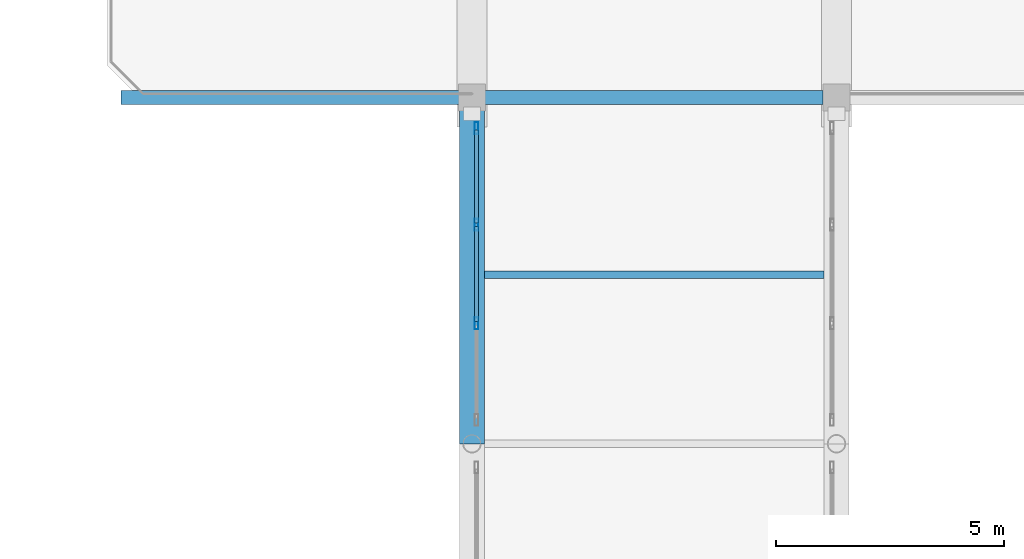
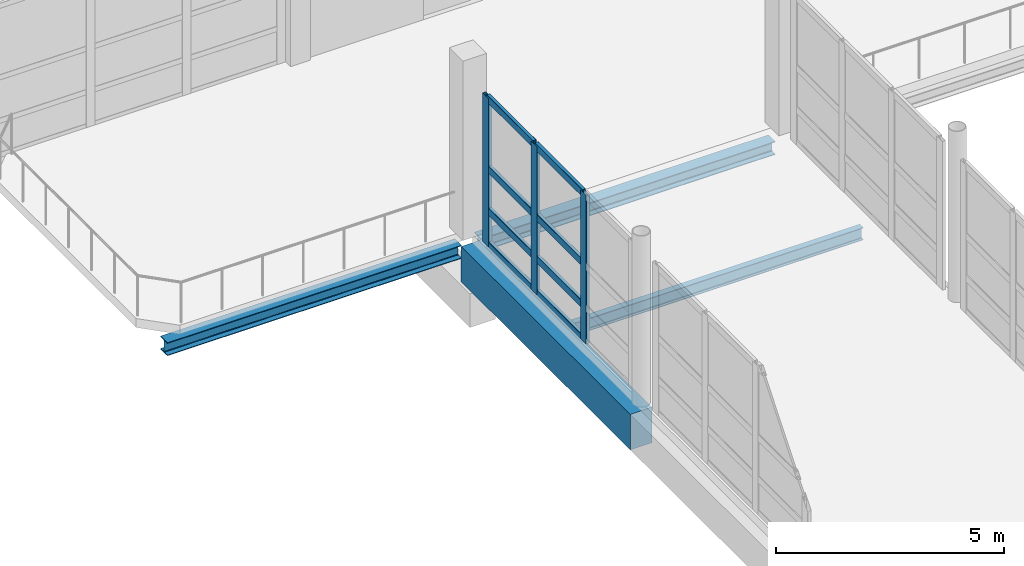
# One storey, part 37 of 141: 11 members, 4 beams, 1 element without a shape of its own.
"""IFC4 building model written with IfcOpenShell, lengths in metres."""

from ifc_helpers import new_model, si_unit, direction, frame, origin, origin_2d, place, context, subcontext, project, spatial, rectangle, hollow_rectangle, i_section, extrude, material, material_profile, profile_set, type_object, element, aggregate, save


model = new_model("IFC4")

# Units and contexts
model_context = context("Model", 3, precision=1e-05, world=origin(), true_north=direction((0.0, 1.0)))
body_context = subcontext(model_context, "Body", "Model", "MODEL_VIEW")
ifc_project = project(units=[si_unit("LENGTHUNIT", "METRE"), si_unit("AREAUNIT", "SQUARE_METRE"), si_unit("VOLUMEUNIT", "CUBIC_METRE"), si_unit("PLANEANGLEUNIT", "RADIAN"), si_unit("MASSUNIT", "GRAM", prefix="KILO")], contexts=[model_context])

# Site, building, storey
site_placement = place(None, origin())
site = spatial("IfcSite", under=ifc_project, at=site_placement, CompositionType="ELEMENT")
building_placement = place(site_placement, origin())
building = spatial("IfcBuilding", under=site, at=building_placement, Name="Khelvaren Railside Concert Hall", CompositionType="ELEMENT")
storey_placement = place(building_placement, frame((0.0, 0.0, 10.199951171875)))
storey = spatial("IfcBuildingStorey", under=building, at=storey_placement, Name="L02", CompositionType="ELEMENT", Elevation=10.199951171875)

# Curtain wall, members
ifc_material_1 = material(Name="Acoustic laminated crystal facade glass", Category="glass")
curtain_wall_type = type_object("IfcCurtainWallType", Name="CW78", PredefinedType="USERDEFINED", material=ifc_material_1)
curtain_wall_placement = place(storey_placement, origin())
curtain_wall = element("IfcCurtainWall", 1, at=curtain_wall_placement, inside=storey, type_object=curtain_wall_type, Name="Unitised Curtain Wall CW-LB3-L02-W3", ObjectType="UNITISED CURTAIN WALL", PredefinedType="USERDEFINED")
ifc_material_2 = material(Name="Anodised architectural aluminium 6063-T6", Category="aluminium")
ifc_material_profile_1 = material_profile(ifc_material_2, hollow_rectangle(XDim=0.0849609375, YDim=0.260009765625, WallThickness=0.0048828125, InnerFilletRadius=0.0029296875, OuterFilletRadius=0.0048828125, at=origin_2d()), Name="CWM 85x260x5")
ifc_profile_set_1 = profile_set([ifc_material_profile_1], Name="Anodised architectural aluminium 6063-T6")
member_type_1 = type_object("IfcMemberType", Name="CWM40", PredefinedType="MULLION", material=ifc_profile_set_1)
member_1_placement = place(storey_placement, frame((8.10009765625, 63.443359375, 0.0), z_axis=(0.0, 0.0, 1.0), x_axis=(-1.0, 0.0, 0.0)))
member_1 = element("IfcMember", 2, at=member_1_placement, type_object=member_type_1, Name="CW78 mullion 2", PredefinedType="MULLION", context=body_context, shape_type="SweptSolid", body=[
    extrude(hollow_rectangle(XDim=0.0849609375, YDim=0.260009765625, WallThickness=0.0048828125, InnerFilletRadius=0.0029296875, OuterFilletRadius=0.0048828125, at=origin_2d()), origin(), (0.0, 0.0, 1.0), 3.97998046875),
])
member_2_placement = place(storey_placement, frame((8.10009765625, 65.606689453125, 0.0), z_axis=(0.0, 0.0, 1.0), x_axis=(-1.0, 0.0, 0.0)))
member_2 = element("IfcMember", 3, at=member_2_placement, type_object=member_type_1, Name="CW78 mullion 3", PredefinedType="MULLION", context=body_context, shape_type="SweptSolid", body=[
    extrude(hollow_rectangle(XDim=0.0849609375, YDim=0.260009765625, WallThickness=0.0048828125, InnerFilletRadius=0.0029296875, OuterFilletRadius=0.0048828125, at=origin_2d()), origin(), (0.0, 0.0, 1.0), 3.97998046875),
])
member_3_placement = place(storey_placement, frame((8.10009765625, 67.7275390625, 0.0), z_axis=(0.0, 0.0, 1.0), x_axis=(-1.0, 0.0, 0.0)))
member_3 = element("IfcMember", 4, at=member_3_placement, type_object=member_type_1, Name="CW78 mullion 4", PredefinedType="MULLION", context=body_context, shape_type="SweptSolid", body=[
    extrude(hollow_rectangle(XDim=0.0849609375, YDim=0.260009765625, WallThickness=0.0048828125, InnerFilletRadius=0.0029296875, OuterFilletRadius=0.0048828125, at=origin_2d()), origin(), (0.0, 0.0, 1.0), 3.97998046875),
])
ifc_material_profile_2 = material_profile(ifc_material_2, hollow_rectangle(XDim=0.0849609375, YDim=0.18994140625, WallThickness=0.0048828125, InnerFilletRadius=0.0029296875, OuterFilletRadius=0.0048828125, at=origin_2d()), Name="CWT 85x190x5")
ifc_profile_set_2 = profile_set([ifc_material_profile_2], Name="Anodised architectural aluminium 6063-T6")
member_type_2 = type_object("IfcMemberType", Name="CWT31", PredefinedType="USERDEFINED", material=ifc_profile_set_2)
member_4_placement = place(storey_placement, frame((8.10009765625, 63.48583984375, 0.04248046875), z_axis=(0.0, 1.0, 0.0), x_axis=(-1.0, 0.0, 0.0)))
member_4 = element("IfcMember", 5, at=member_4_placement, type_object=member_type_2, Name="CW78 transom 2.1", ObjectType="TRANSOM", PredefinedType="USERDEFINED", context=body_context, shape_type="SweptSolid", body=[
    extrude(hollow_rectangle(XDim=0.0849609375, YDim=0.18994140625, WallThickness=0.0048828125, InnerFilletRadius=0.0029296875, OuterFilletRadius=0.0048828125, at=origin_2d()), origin(), (0.0, 0.0, 1.0), 2.078369140625),
])
member_5_placement = place(storey_placement, frame((8.10009765625, 63.48583984375, 0.949951171875), z_axis=(0.0, 1.0, 0.0), x_axis=(-1.0, 0.0, 0.0)))
member_5 = element("IfcMember", 6, at=member_5_placement, type_object=member_type_2, Name="CW78 transom 2.2", ObjectType="TRANSOM", PredefinedType="USERDEFINED", context=body_context, shape_type="SweptSolid", body=[
    extrude(hollow_rectangle(XDim=0.0849609375, YDim=0.18994140625, WallThickness=0.0048828125, InnerFilletRadius=0.0029296875, OuterFilletRadius=0.0048828125, at=origin_2d()), origin(), (0.0, 0.0, 1.0), 2.078369140625),
])
member_6_placement = place(storey_placement, frame((8.10009765625, 63.48583984375, 2.069580078125), z_axis=(0.0, 1.0, 0.0), x_axis=(-1.0, 0.0, 0.0)))
member_6 = element("IfcMember", 7, at=member_6_placement, type_object=member_type_2, Name="CW78 transom 2.3", ObjectType="TRANSOM", PredefinedType="USERDEFINED", context=body_context, shape_type="SweptSolid", body=[
    extrude(hollow_rectangle(XDim=0.0849609375, YDim=0.18994140625, WallThickness=0.0048828125, InnerFilletRadius=0.0029296875, OuterFilletRadius=0.0048828125, at=origin_2d()), origin(), (0.0, 0.0, 1.0), 2.078369140625),
])
member_7_placement = place(storey_placement, frame((8.10009765625, 63.48583984375, 3.9375), z_axis=(0.0, 1.0, 0.0), x_axis=(-1.0, 0.0, 0.0)))
member_7 = element("IfcMember", 8, at=member_7_placement, type_object=member_type_2, Name="CW78 transom 2.4", ObjectType="TRANSOM", PredefinedType="USERDEFINED", context=body_context, shape_type="SweptSolid", body=[
    extrude(hollow_rectangle(XDim=0.0849609375, YDim=0.18994140625, WallThickness=0.0048828125, InnerFilletRadius=0.0029296875, OuterFilletRadius=0.0048828125, at=origin_2d()), origin(), (0.0, 0.0, 1.0), 2.078369140625),
])
member_8_placement = place(storey_placement, frame((8.10009765625, 65.649169921875, 0.04248046875), z_axis=(0.0, 1.0, 0.0), x_axis=(-1.0, 0.0, 0.0)))
member_8 = element("IfcMember", 9, at=member_8_placement, type_object=member_type_2, Name="CW78 transom 3.1", ObjectType="TRANSOM", PredefinedType="USERDEFINED", context=body_context, shape_type="SweptSolid", body=[
    extrude(hollow_rectangle(XDim=0.0849609375, YDim=0.18994140625, WallThickness=0.0048828125, InnerFilletRadius=0.0029296875, OuterFilletRadius=0.0048828125, at=origin_2d()), origin(), (0.0, 0.0, 1.0), 2.035888671875),
])
member_9_placement = place(storey_placement, frame((8.10009765625, 65.649169921875, 0.949951171875), z_axis=(0.0, 1.0, 0.0), x_axis=(-1.0, 0.0, 0.0)))
member_9 = element("IfcMember", 10, at=member_9_placement, type_object=member_type_2, Name="CW78 transom 3.2", ObjectType="TRANSOM", PredefinedType="USERDEFINED", context=body_context, shape_type="SweptSolid", body=[
    extrude(hollow_rectangle(XDim=0.0849609375, YDim=0.18994140625, WallThickness=0.0048828125, InnerFilletRadius=0.0029296875, OuterFilletRadius=0.0048828125, at=origin_2d()), origin(), (0.0, 0.0, 1.0), 2.035888671875),
])
member_10_placement = place(storey_placement, frame((8.10009765625, 65.649169921875, 2.069580078125), z_axis=(0.0, 1.0, 0.0), x_axis=(-1.0, 0.0, 0.0)))
member_10 = element("IfcMember", 11, at=member_10_placement, type_object=member_type_2, Name="CW78 transom 3.3", ObjectType="TRANSOM", PredefinedType="USERDEFINED", context=body_context, shape_type="SweptSolid", body=[
    extrude(hollow_rectangle(XDim=0.0849609375, YDim=0.18994140625, WallThickness=0.0048828125, InnerFilletRadius=0.0029296875, OuterFilletRadius=0.0048828125, at=origin_2d()), origin(), (0.0, 0.0, 1.0), 2.035888671875),
])
member_11_placement = place(storey_placement, frame((8.10009765625, 65.649169921875, 3.9375), z_axis=(0.0, 1.0, 0.0), x_axis=(-1.0, 0.0, 0.0)))
member_11 = element("IfcMember", 12, at=member_11_placement, type_object=member_type_2, Name="CW78 transom 3.4", ObjectType="TRANSOM", PredefinedType="USERDEFINED", context=body_context, shape_type="SweptSolid", body=[
    extrude(hollow_rectangle(XDim=0.0849609375, YDim=0.18994140625, WallThickness=0.0048828125, InnerFilletRadius=0.0029296875, OuterFilletRadius=0.0048828125, at=origin_2d()), origin(), (0.0, 0.0, 1.0), 2.035888671875),
])
aggregate(curtain_wall, [member_1, member_2, member_3, member_4, member_5, member_6, member_7, member_8, member_9, member_10, member_11])

# Beams
ifc_material_3 = material(Name="Concrete C40/50", Category="concrete")
ifc_material_profile_3 = material_profile(ifc_material_3, rectangle(XDim=0.550048828125, YDim=0.949951171875, at=origin_2d()), Name="RCB 550x950")
ifc_profile_set_3 = profile_set([ifc_material_profile_3], Name="Concrete C40/50")
beam_type_1 = type_object("IfcBeamType", Name="GR75", PredefinedType="T_BEAM", material=ifc_profile_set_3)
beam_1_placement = place(storey_placement, frame((8.0, 60.800048828125, -0.71484375), z_axis=(0.0, 1.0, 0.0), x_axis=(-1.0, 0.0, 0.0)))
element("IfcBeam", 13, at=beam_1_placement, inside=storey, type_object=beam_type_1, Name="West Court Chamber Link Bridge L02 Bridge Girder 1.3", PredefinedType="T_BEAM", context=body_context, shape_type="SweptSolid", body=[
    extrude(rectangle(XDim=0.550048828125, YDim=0.949951171875, at=origin_2d()), origin(), (0.0, 0.0, 1.0), 7.419921875),
])
ifc_material_4 = material(Name="Steel S355", Category="steel")
ifc_material_profile_4 = material_profile(ifc_material_4, i_section(OverallWidth=0.159912109375, OverallDepth=0.330078125, WebThickness=0.007568359375, FlangeThickness=0.011474609375, FilletRadius=0.01806640625, at=origin_2d()), Name="IPE 330")
ifc_profile_set_4 = profile_set([ifc_material_profile_4], Name="Steel S355")
beam_type_2 = type_object("IfcBeamType", Name="JS65", PredefinedType="JOIST", material=ifc_profile_set_4)
beam_2_placement = place(storey_placement, frame((8.27490234375, 64.510009765625, -0.405029296875), z_axis=(1.0, 0.0, 0.0), x_axis=(0.0, 1.0, 0.0)))
element("IfcBeam", 14, at=beam_2_placement, inside=storey, type_object=beam_type_2, Name="West Court Chamber Link Bridge L02 Bridge Cross Joist 4", PredefinedType="JOIST", context=body_context, shape_type="SweptSolid", body=[
    extrude(i_section(OverallWidth=0.159912109375, OverallDepth=0.330078125, WebThickness=0.007568359375, FlangeThickness=0.011474609375, FilletRadius=0.01806640625, at=origin_2d()), origin(), (0.0, 0.0, 1.0), 7.4501953125),
])
ifc_material_profile_5 = material_profile(ifc_material_4, i_section(OverallWidth=0.300048828125, OverallDepth=0.35009765625, WebThickness=0.010009765625, FlangeThickness=0.017578125, FilletRadius=0.027099609375, at=origin_2d()), Name="HEA 360")
ifc_profile_set_5 = profile_set([ifc_material_profile_5], Name="Steel S355")
beam_type_3 = type_object("IfcBeamType", Name="SP38", PredefinedType="SPANDREL", material=ifc_profile_set_5)
for number, where, z_axis, x_axis, name in (
    (15, (0.300048828125, 68.39990234375, -0.4150390625), (1.0, 0.0, 0.0), (0.0, 1.0, 0.0), "V4 L02 Terrace Edge Spandrel 14"),
    (16, (8.25, 68.39990234375, -0.4150390625), (1.0, 0.0, 0.0), (0.0, 1.0, 0.0), "V4 L02 Terrace Edge Spandrel 15"),
):
    element("IfcBeam", number, at=place(storey_placement, frame(where, z_axis=z_axis, x_axis=x_axis)), inside=storey, type_object=beam_type_3, Name=name, PredefinedType="SPANDREL", context=body_context, shape_type="SweptSolid", body=[
        extrude(i_section(OverallWidth=0.300048828125, OverallDepth=0.35009765625, WebThickness=0.010009765625, FlangeThickness=0.017578125, FilletRadius=0.027099609375, at=origin_2d()), origin(), (0.0, 0.0, 1.0), 7.449951171875),
    ])

save(model, "model.ifc")
